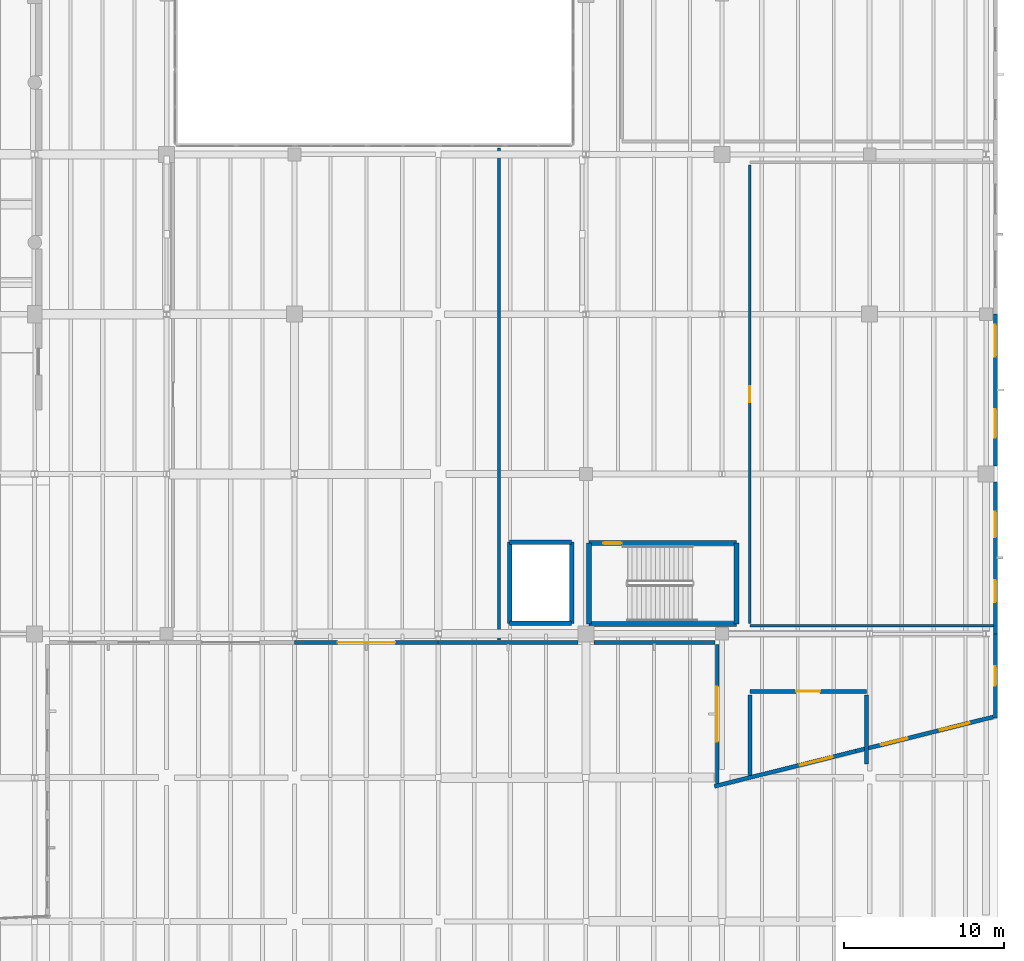
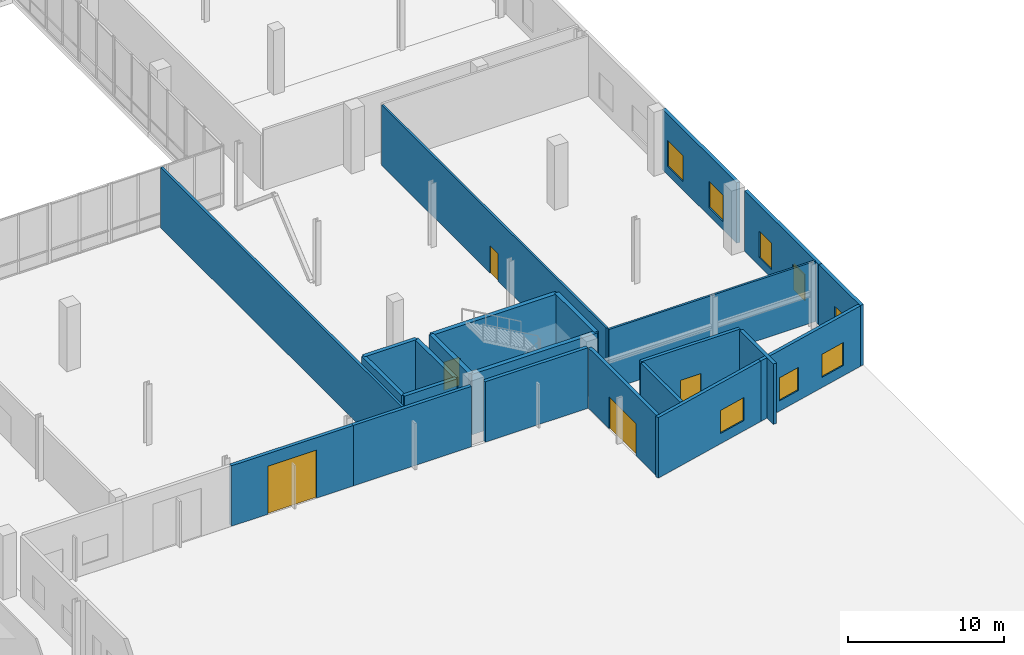
# One storey, part 74 of 88: 23 walls, 8 windows, 5 doors, 13 openings.
"""IFC4 building model written with IfcOpenShell, lengths in metres."""

from ifc_helpers import new_model, si_unit, direction, frame, frame_2d, origin, place, context, subcontext, project, spatial, rectangle, extrude, material, layer, layer_set, type_object, element, fill, save


model = new_model("IFC4")

# Units and contexts
model_context = context("Model", 3, precision=1e-05, world=origin(), true_north=direction((0.0, 1.0)))
body_context = subcontext(model_context, "Body", "Model", "MODEL_VIEW")
ifc_project = project(units=[si_unit("LENGTHUNIT", "METRE"), si_unit("AREAUNIT", "SQUARE_METRE"), si_unit("VOLUMEUNIT", "CUBIC_METRE"), si_unit("PLANEANGLEUNIT", "RADIAN"), si_unit("MASSUNIT", "GRAM", prefix="KILO")], contexts=[model_context])

# Site, building, storey
site_placement = place(None, origin())
site = spatial("IfcSite", under=ifc_project, at=site_placement, CompositionType="ELEMENT")
building_placement = place(site_placement, origin())
building = spatial("IfcBuilding", under=site, at=building_placement, Name="Trimount Lyric Opera House", CompositionType="ELEMENT")
storey_placement = place(building_placement, origin())
storey = spatial("IfcBuildingStorey", under=building, at=storey_placement, Name="L00", CompositionType="ELEMENT", Elevation=0.0)

# Wall
ifc_material_1 = material(Name="Fire-Rated Gypsum Board Partition")
ifc_layer_1 = layer(ifc_material_1, 0.14990234375)
ifc_layer_set_1 = layer_set([ifc_layer_1], Name="WL-PT150")
wall_type_1 = type_object("IfcWallType", Name="WL-PT150", PredefinedType="PARTITIONING", material=ifc_layer_set_1)
wall_1_placement = place(storey_placement, frame((158.5, 44.5, 0.0), z_axis=(0.0, 0.0, 1.0), x_axis=(1.0, 0.0, 0.0)))
element("IfcWall", 1, at=wall_1_placement, inside=storey, type_object=wall_type_1, Name="L00 Stage Door Security & Wardrobe S partition", PredefinedType="PARTITIONING", context=body_context, shape_type="SweptSolid", body=[
    extrude(rectangle(XDim=15.25, YDim=0.14990234375, at=frame_2d((7.625, 0.0))), origin(), (0.0, 0.0, 1.0), 4.719970703125),
])

# Wall, opening, door
wall_2_placement = place(storey_placement, frame((158.5, 73.35009765625, 0.0), z_axis=(0.0, 0.0, 1.0), x_axis=(0.0, -1.0, 0.0)))
wall_2 = element("IfcWall", 2, at=wall_2_placement, inside=storey, type_object=wall_type_1, Name="L00 Stage Door Security & Wardrobe W partition", PredefinedType="PARTITIONING", context=body_context, shape_type="SweptSolid", body=[
    extrude(rectangle(XDim=28.7001953125, YDim=0.14990234375, at=frame_2d((14.35009765625, 0.0))), origin(), (0.0, 0.0, 1.0), 4.719970703125),
])
opening_1_placement = place(wall_2_placement, frame((13.85009765625, 0.0, 0.0)))
opening_1 = element("IfcOpeningElement", 3, at=opening_1_placement, cuts=wall_2, Name="Opening DT-RM1", PredefinedType="OPENING", context=body_context, shape_type="SweptSolid", body=[
    extrude(rectangle(XDim=1.0, YDim=2.14990234375, at=frame_2d((0.5, 1.074951171875))), frame((0.0, 0.0849609375, 0.0), z_axis=(0.0, -1.0, 0.0), x_axis=(1.0, 0.0, 0.0)), (0.0, 0.0, 1.0), 0.169921875),
])
ifc_material_2 = material(Name="Solid Core White Oak")
door_type_1 = type_object("IfcDoorType", Name="DT-RM1", OperationType="NOTDEFINED", PredefinedType="DOOR", material=ifc_material_2)
door_1_placement = place(opening_1_placement, origin())
door_1 = element("IfcDoor", 4, at=door_1_placement, inside=storey, type_object=door_type_1, Name="D-191", OperationType="SINGLE_SWING_RIGHT", OverallHeight=2.14990234375, OverallWidth=1.0, PredefinedType="DOOR", context=body_context, shape_type="SweptSolid", body=[
    extrude(rectangle(XDim=1.0, YDim=2.14990234375, at=frame_2d((0.5, 1.074951171875))), frame((0.0, 0.02490234375, 0.0), z_axis=(0.0, -1.0, 0.0), x_axis=(1.0, 0.0, 0.0)), (0.0, 0.0, 1.0), 0.050048828125),
])
fill(opening_1, door_1)

# Walls
ifc_material_3 = material(Name="Acoustic Double-Stud Gypsum Board")
ifc_layer_2 = layer(ifc_material_3, 0.179931640625)
ifc_layer_set_2 = layer_set([ifc_layer_2], Name="WL-PT180")
wall_type_2 = type_object("IfcWallType", Name="WL-PT180", PredefinedType="PARTITIONING", material=ifc_layer_set_2)
wall_3_placement = place(storey_placement, frame((142.800048828125, 43.60009765625, 0.0), z_axis=(0.0, 0.0, 1.0), x_axis=(0.0, 1.0, 0.0)))
element("IfcWall", 5, at=wall_3_placement, inside=storey, type_object=wall_type_2, Name="L00 Scenery Carpentry & Dock Hall E partition", PredefinedType="PARTITIONING", context=body_context, shape_type="SweptSolid", body=[
    extrude(rectangle(XDim=30.7998046875, YDim=0.179931640625, at=frame_2d((15.39990234375, 0.0))), origin(), (0.0, 0.0, 1.0), 4.719970703125),
])
ifc_material_4 = material(Name="Concrete C40/50", Category="concrete")
ifc_layer_3 = layer(ifc_material_4, 0.280029296875)
ifc_layer_set_3 = layer_set([ifc_layer_3], Name="WL-SH280")
wall_type_3 = type_object("IfcWallType", Name="WL-SH280", PredefinedType="SHEAR", material=ifc_layer_set_3)
for number, where, z_axis, x_axis, name in (
    (6, (143.4599609375, 44.659912109375, 0.0), (0.0, 0.0, 1.0), (1.0, 0.0, 0.0), "Lift LF-07 L00 south shaft wall"),
    (7, (147.340087890625, 49.739990234375, 0.0), (0.0, 0.0, 1.0), (-1.0, 0.0, 0.0), "Lift LF-07 L00 north shaft wall"),
):
    element("IfcWall", number, at=place(storey_placement, frame(where, z_axis=z_axis, x_axis=x_axis)), inside=storey, type_object=wall_type_3, Name=name, PredefinedType="SHEAR", context=body_context, shape_type="SweptSolid", body=[
        extrude(rectangle(XDim=3.880126953125, YDim=0.280029296875, at=frame_2d((1.93994140625, 0.0))), origin(), (0.0, 0.0, 1.0), 4.719970703125),
    ])
for number, where, z_axis, x_axis, name in (
    (8, (143.4599609375, 49.739990234375, 0.0), (0.0, 0.0, 1.0), (0.0, -1.0, 0.0), "Lift LF-07 L00 west shaft wall"),
    (9, (147.340087890625, 44.659912109375, 0.0), (0.0, 0.0, 1.0), (0.0, 1.0, 0.0), "Lift LF-07 L00 east shaft wall"),
):
    element("IfcWall", number, at=place(storey_placement, frame(where, z_axis=z_axis, x_axis=x_axis)), inside=storey, type_object=wall_type_3, Name=name, PredefinedType="SHEAR", context=body_context, shape_type="SweptSolid", body=[
        extrude(rectangle(XDim=5.080078125, YDim=0.280029296875, at=frame_2d((2.5400390625, 0.0))), origin(), (0.0, 0.0, 1.0), 4.719970703125),
    ])
ifc_material_5 = material(Name="Concrete C40/50", Category="concrete")
ifc_layer_4 = layer(ifc_material_5, 0.320068359375)
ifc_layer_set_4 = layer_set([ifc_layer_4], Name="WL-SH320")
wall_type_4 = type_object("IfcWallType", Name="WL-SH320", PredefinedType="SHEAR", material=ifc_layer_set_4)
wall_4_placement = place(storey_placement, frame((148.425048828125, 44.625, 0.0), z_axis=(0.0, 0.0, 1.0), x_axis=(1.0, 0.0, 0.0)))
element("IfcWall", 10, at=wall_4_placement, inside=storey, type_object=wall_type_4, Name="K5 L00 south shaft wall", PredefinedType="SHEAR", context=body_context, shape_type="SweptSolid", body=[
    extrude(rectangle(XDim=9.25, YDim=0.320068359375, at=frame_2d((4.625, 0.0))), origin(), (0.0, 0.0, 1.0), 4.719970703125),
])

# Wall, opening, door
wall_5_placement = place(storey_placement, frame((157.675048828125, 49.675048828125, 0.0), z_axis=(0.0, 0.0, 1.0), x_axis=(-1.0, 0.0, 0.0)))
wall_5 = element("IfcWall", 11, at=wall_5_placement, inside=storey, type_object=wall_type_4, Name="K5 L00 north shaft wall", PredefinedType="SHEAR", context=body_context, shape_type="SweptSolid", body=[
    extrude(rectangle(XDim=9.25, YDim=0.320068359375, at=frame_2d((4.625, 0.0))), origin(), (0.0, 0.0, 1.0), 4.719970703125),
])
opening_2_placement = place(wall_5_placement, frame((7.199951171875, 0.0, 0.0)))
opening_2 = element("IfcOpeningElement", 12, at=opening_2_placement, cuts=wall_5, Name="Opening DT-ST1", PredefinedType="OPENING", context=body_context, shape_type="SweptSolid", body=[
    extrude(rectangle(XDim=1.14990234375, YDim=2.199951171875, at=frame_2d((0.574951171875, 1.10009765625))), frame((0.0, 0.169921875, 0.0), z_axis=(0.0, -1.0, 0.0), x_axis=(1.0, 0.0, 0.0)), (0.0, 0.0, 1.0), 0.340087890625),
])
ifc_material_6 = material(Name="Fire-Rated Hollow Steel", Category="steel")
door_type_2 = type_object("IfcDoorType", Name="DT-ST1", OperationType="NOTDEFINED", PredefinedType="DOOR", material=ifc_material_6)
door_2_placement = place(opening_2_placement, origin())
door_2 = element("IfcDoor", 13, at=door_2_placement, inside=storey, type_object=door_type_2, Name="D-040", OperationType="SINGLE_SWING_RIGHT", OverallHeight=2.199951171875, OverallWidth=1.14990234375, PredefinedType="DOOR", context=body_context, shape_type="SweptSolid", body=[
    extrude(rectangle(XDim=1.14990234375, YDim=2.199951171875, at=frame_2d((0.574951171875, 1.10009765625))), frame((0.0, 0.02490234375, 0.0), z_axis=(0.0, -1.0, 0.0), x_axis=(1.0, 0.0, 0.0)), (0.0, 0.0, 1.0), 0.050048828125),
])
fill(opening_2, door_2)

# Walls
for number, where, z_axis, x_axis, name in (
    (14, (148.425048828125, 49.675048828125, 0.0), (0.0, 0.0, 1.0), (0.0, -1.0, 0.0), "K5 L00 west shaft wall"),
    (15, (157.675048828125, 44.625, 0.0), (0.0, 0.0, 1.0), (0.0, 1.0, 0.0), "K5 L00 east shaft wall"),
):
    element("IfcWall", number, at=place(storey_placement, frame(where, z_axis=z_axis, x_axis=x_axis)), inside=storey, type_object=wall_type_4, Name=name, PredefinedType="SHEAR", context=body_context, shape_type="SweptSolid", body=[
        extrude(rectangle(XDim=5.050048828125, YDim=0.320068359375, at=frame_2d((2.52490234375, 0.0))), origin(), (0.0, 0.0, 1.0), 4.719970703125),
    ])

# Wall, opening, door
ifc_material_7 = material(Name="Concrete C35/45", Category="concrete")
ifc_layer_5 = layer(ifc_material_7, 0.239990234375)
ifc_layer_set_5 = layer_set([ifc_layer_5], Name="WL-SW240")
wall_type_5 = type_object("IfcWallType", Name="WL-SW240", PredefinedType="SOLIDWALL", material=ifc_layer_set_5)
wall_6_placement = place(storey_placement, frame((165.800048828125, 40.39990234375, 0.0), z_axis=(0.0, 0.0, 1.0), x_axis=(-1.0, 0.0, 0.0)))
wall_6 = element("IfcWall", 16, at=wall_6_placement, inside=storey, type_object=wall_type_5, Name="L00 Fire Command Centre N partition", PredefinedType="SOLIDWALL", context=body_context, shape_type="SweptSolid", body=[
    extrude(rectangle(XDim=7.300048828125, YDim=0.239990234375, at=frame_2d((3.64990234375, 0.0))), origin(), (0.0, 0.0, 1.0), 4.719970703125),
])
opening_3_placement = place(wall_6_placement, frame((2.89990234375, 0.0, 0.0)))
opening_3 = element("IfcOpeningElement", 17, at=opening_3_placement, cuts=wall_6, Name="Opening DT-PL1", PredefinedType="OPENING", context=body_context, shape_type="SweptSolid", body=[
    extrude(rectangle(XDim=1.5, YDim=2.25, at=frame_2d((0.75, 1.125))), frame((0.0, 0.1298828125, 0.0), z_axis=(0.0, -1.0, 0.0), x_axis=(1.0, 0.0, 0.0)), (0.0, 0.0, 1.0), 0.260009765625),
])
ifc_material_8 = material(Name="Fire-Rated Painted Steel", Category="steel")
door_type_3 = type_object("IfcDoorType", Name="DT-PL1", OperationType="DOUBLE_DOOR_SINGLE_SWING", PredefinedType="DOOR", material=ifc_material_8)
door_3_placement = place(opening_3_placement, origin())
door_3 = element("IfcDoor", 18, at=door_3_placement, inside=storey, type_object=door_type_3, Name="D-190", OperationType="DOUBLE_DOOR_SINGLE_SWING", OverallHeight=2.25, OverallWidth=1.5, PredefinedType="DOOR", context=body_context, shape_type="SweptSolid", body=[
    extrude(rectangle(XDim=1.5, YDim=2.25, at=frame_2d((0.75, 1.125))), frame((0.0, 0.02490234375, 0.0), z_axis=(0.0, -1.0, 0.0), x_axis=(1.0, 0.0, 0.0)), (0.0, 0.0, 1.0), 0.050048828125),
])
fill(opening_3, door_3)

# Walls
wall_7_placement = place(storey_placement, frame((158.5, 40.159912109375, 0.0), z_axis=(0.0, 0.0, 1.0), x_axis=(0.0, -1.0, 0.0)))
element("IfcWall", 19, at=wall_7_placement, inside=storey, type_object=wall_type_5, Name="L00 Fire Command Centre W partition", PredefinedType="SOLIDWALL", context=body_context, shape_type="SweptSolid", body=[
    extrude(rectangle(XDim=5.01318359375, YDim=0.239990234375, at=frame_2d((2.506591796875, 0.0))), origin(), (0.0, 0.0, 1.0), 4.719970703125),
])
wall_8_placement = place(storey_placement, frame((165.800048828125, 35.840087890625, 0.0), z_axis=(0.0, 0.0, 1.0), x_axis=(0.0, 1.0, 0.0)))
element("IfcWall", 20, at=wall_8_placement, inside=storey, type_object=wall_type_5, Name="L00 Fire Command Centre E partition", PredefinedType="SOLIDWALL", context=body_context, shape_type="SweptSolid", body=[
    extrude(rectangle(XDim=4.31982421875, YDim=0.239990234375, at=frame_2d((2.159912109375, 0.0))), origin(), (0.0, 0.0, 1.0), 4.719970703125),
])

# Wall, openings, windows
ifc_material_9 = material(Name="Concrete C35/45", Category="concrete")
ifc_layer_6 = layer(ifc_material_9, 0.25)
ifc_layer_set_6 = layer_set([ifc_layer_6], Name="WL-SW250")
wall_type_6 = type_object("IfcWallType", Name="WL-SW250", PredefinedType="SOLIDWALL", material=ifc_layer_set_6)
wall_9_placement = place(storey_placement, frame((173.860107421875, 64.0, 0.0), z_axis=(0.0, 0.0, 1.0), x_axis=(0.0, -1.0, 0.0)))
wall_9 = element("IfcWall", 21, at=wall_9_placement, inside=storey, type_object=wall_type_6, Name="L00 exterior facade wall 131", PredefinedType="SOLIDWALL", context=body_context, shape_type="SweptSolid", body=[
    extrude(rectangle(XDim=9.5, YDim=0.25, at=frame_2d((4.75, 0.0))), origin(), (0.0, 0.0, 1.0), 4.719970703125),
])
opening_4_placement = place(wall_9_placement, frame((0.659912109375, 0.0, 0.64990234375)))
opening_4 = element("IfcOpeningElement", 22, at=opening_4_placement, cuts=wall_9, Name="Opening WT-10", PredefinedType="OPENING", context=body_context, shape_type="SweptSolid", body=[
    extrude(rectangle(XDim=2.0, YDim=2.050048828125, at=frame_2d((1.0, 1.02490234375))), frame((0.0, 0.135009765625, 0.0), z_axis=(0.0, -1.0, 0.0), x_axis=(1.0, 0.0, 0.0)), (0.0, 0.0, 1.0), 0.27001953125),
])
opening_5_placement = place(wall_9_placement, frame((5.93994140625, 0.0, 0.64990234375)))
opening_5 = element("IfcOpeningElement", 23, at=opening_5_placement, cuts=wall_9, Name="Opening WT-11", PredefinedType="OPENING", context=body_context, shape_type="SweptSolid", body=[
    extrude(rectangle(XDim=1.800048828125, YDim=2.050048828125, at=frame_2d((0.89990234375, 1.02490234375))), frame((0.0, 0.135009765625, 0.0), z_axis=(0.0, -1.0, 0.0), x_axis=(1.0, 0.0, 0.0)), (0.0, 0.0, 1.0), 0.27001953125),
])
ifc_material_10 = material(Name="Low-E Insulated Glazing in Bronze Frame", Category="glass")
window_type_1 = type_object("IfcWindowType", Name="WT-10", PartitioningType="DOUBLE_PANEL_VERTICAL", PredefinedType="WINDOW", material=ifc_material_10)
window_1_placement = place(opening_4_placement, origin())
window_1 = element("IfcWindow", 24, at=window_1_placement, inside=storey, type_object=window_type_1, Name="Window WT-10-0036", OverallHeight=2.050048828125, OverallWidth=2.0, PartitioningType="SINGLE_PANEL", PredefinedType="WINDOW", context=body_context, shape_type="SweptSolid", body=[
    extrude(rectangle(XDim=2.0, YDim=2.050048828125, at=frame_2d((1.0, 1.02490234375))), frame((0.0, 0.030029296875, 0.0), z_axis=(0.0, -1.0, 0.0), x_axis=(1.0, 0.0, 0.0)), (0.0, 0.0, 1.0), 0.06005859375),
])
fill(opening_4, window_1)
ifc_material_11 = material(Name="Low-E Insulated Glazing in Bronze Frame", Category="glass")
window_type_2 = type_object("IfcWindowType", Name="WT-11", PartitioningType="DOUBLE_PANEL_VERTICAL", PredefinedType="WINDOW", material=ifc_material_11)
window_2_placement = place(opening_5_placement, origin())
window_2 = element("IfcWindow", 25, at=window_2_placement, inside=storey, type_object=window_type_2, Name="Window WT-11-0037", OverallHeight=2.050048828125, OverallWidth=1.800048828125, PartitioningType="SINGLE_PANEL", PredefinedType="WINDOW", context=body_context, shape_type="SweptSolid", body=[
    extrude(rectangle(XDim=1.800048828125, YDim=2.050048828125, at=frame_2d((0.89990234375, 1.02490234375))), frame((0.0, 0.030029296875, 0.0), z_axis=(0.0, -1.0, 0.0), x_axis=(1.0, 0.0, 0.0)), (0.0, 0.0, 1.0), 0.06005859375),
])
fill(opening_5, window_2)

wall_10_placement = place(storey_placement, frame((173.860107421875, 53.5, 0.0), z_axis=(0.0, 0.0, 1.0), x_axis=(0.0, -1.0, 0.0)))
wall_10 = element("IfcWall", 26, at=wall_10_placement, inside=storey, type_object=wall_type_6, Name="L00 exterior facade wall 132", PredefinedType="SOLIDWALL", context=body_context, shape_type="SweptSolid", body=[
    extrude(rectangle(XDim=9.5, YDim=0.25, at=frame_2d((4.75, 0.0))), origin(), (0.0, 0.0, 1.0), 4.719970703125),
])
opening_6_placement = place(wall_10_placement, frame((1.860107421875, 0.0, 0.64990234375)))
opening_6 = element("IfcOpeningElement", 27, at=opening_6_placement, cuts=wall_10, Name="Opening WT-12", PredefinedType="OPENING", context=body_context, shape_type="SweptSolid", body=[
    extrude(rectangle(XDim=1.60009765625, YDim=2.050048828125, at=frame_2d((0.800048828125, 1.02490234375))), frame((0.0, 0.135009765625, 0.0), z_axis=(0.0, -1.0, 0.0), x_axis=(1.0, 0.0, 0.0)), (0.0, 0.0, 1.0), 0.27001953125),
])
opening_7_placement = place(wall_10_placement, frame((6.139892578125, 0.0, 0.64990234375)))
opening_7 = element("IfcOpeningElement", 28, at=opening_7_placement, cuts=wall_10, Name="Opening WT-13", PredefinedType="OPENING", context=body_context, shape_type="SweptSolid", body=[
    extrude(rectangle(XDim=1.39990234375, YDim=2.050048828125, at=frame_2d((0.699951171875, 1.02490234375))), frame((0.0, 0.135009765625, 0.0), z_axis=(0.0, -1.0, 0.0), x_axis=(1.0, 0.0, 0.0)), (0.0, 0.0, 1.0), 0.27001953125),
])
ifc_material_12 = material(Name="Low-E Insulated Glazing in Bronze Frame", Category="glass")
window_type_3 = type_object("IfcWindowType", Name="WT-12", PartitioningType="SINGLE_PANEL", PredefinedType="WINDOW", material=ifc_material_12)
window_3_placement = place(opening_6_placement, origin())
window_3 = element("IfcWindow", 29, at=window_3_placement, inside=storey, type_object=window_type_3, Name="Window WT-12-0038", OverallHeight=2.050048828125, OverallWidth=1.60009765625, PartitioningType="SINGLE_PANEL", PredefinedType="WINDOW", context=body_context, shape_type="SweptSolid", body=[
    extrude(rectangle(XDim=1.60009765625, YDim=2.050048828125, at=frame_2d((0.800048828125, 1.02490234375))), frame((0.0, 0.030029296875, 0.0), z_axis=(0.0, -1.0, 0.0), x_axis=(1.0, 0.0, 0.0)), (0.0, 0.0, 1.0), 0.06005859375),
])
fill(opening_6, window_3)
ifc_material_13 = material(Name="Low-E Insulated Glazing in Bronze Frame", Category="glass")
window_type_4 = type_object("IfcWindowType", Name="WT-13", PartitioningType="SINGLE_PANEL", PredefinedType="WINDOW", material=ifc_material_13)
window_4_placement = place(opening_7_placement, origin())
window_4 = element("IfcWindow", 30, at=window_4_placement, inside=storey, type_object=window_type_4, Name="Window WT-13-0039", OverallHeight=2.050048828125, OverallWidth=1.39990234375, PartitioningType="SINGLE_PANEL", PredefinedType="WINDOW", context=body_context, shape_type="SweptSolid", body=[
    extrude(rectangle(XDim=1.39990234375, YDim=2.050048828125, at=frame_2d((0.699951171875, 1.02490234375))), frame((0.0, 0.030029296875, 0.0), z_axis=(0.0, -1.0, 0.0), x_axis=(1.0, 0.0, 0.0)), (0.0, 0.0, 1.0), 0.06005859375),
])
fill(opening_7, window_4)

# Wall, opening, window
wall_11_placement = place(storey_placement, frame((173.860107421875, 44.0, 0.0), z_axis=(0.0, 0.0, 1.0), x_axis=(0.0, -1.0, 0.0)))
wall_11 = element("IfcWall", 31, at=wall_11_placement, inside=storey, type_object=wall_type_6, Name="L00 exterior facade wall 133", PredefinedType="SOLIDWALL", context=body_context, shape_type="SweptSolid", body=[
    extrude(rectangle(XDim=5.280029296875, YDim=0.25, at=frame_2d((2.64013671875, 0.0))), origin(), (0.0, 0.0, 1.0), 4.719970703125),
])
opening_8_placement = place(wall_11_placement, frame((2.0400390625, 0.0, 0.64990234375)))
opening_8 = element("IfcOpeningElement", 32, at=opening_8_placement, cuts=wall_11, Name="Opening WT-14", PredefinedType="OPENING", context=body_context, shape_type="SweptSolid", body=[
    extrude(rectangle(XDim=1.199951171875, YDim=2.050048828125, at=frame_2d((0.60009765625, 1.02490234375))), frame((0.0, 0.135009765625, 0.0), z_axis=(0.0, -1.0, 0.0), x_axis=(1.0, 0.0, 0.0)), (0.0, 0.0, 1.0), 0.27001953125),
])
ifc_material_14 = material(Name="Low-E Insulated Glazing in Bronze Frame", Category="glass")
window_type_5 = type_object("IfcWindowType", Name="WT-14", PartitioningType="SINGLE_PANEL", PredefinedType="WINDOW", material=ifc_material_14)
window_5_placement = place(opening_8_placement, origin())
window_5 = element("IfcWindow", 33, at=window_5_placement, inside=storey, type_object=window_type_5, Name="Window WT-14-0040", OverallHeight=2.050048828125, OverallWidth=1.199951171875, PartitioningType="SINGLE_PANEL", PredefinedType="WINDOW", context=body_context, shape_type="SweptSolid", body=[
    extrude(rectangle(XDim=1.199951171875, YDim=2.050048828125, at=frame_2d((0.60009765625, 1.02490234375))), frame((0.0, 0.030029296875, 0.0), z_axis=(0.0, -1.0, 0.0), x_axis=(1.0, 0.0, 0.0)), (0.0, 0.0, 1.0), 0.06005859375),
])
fill(opening_8, window_5)

# Wall, openings, windows
wall_12_placement = place(storey_placement, frame((173.72998046875, 38.797119140625, 0.0), z_axis=(0.0, 0.0, 1.0), x_axis=(-0.970396269946, -0.241518279382, 0.0)))
wall_12 = element("IfcWall", 34, at=wall_12_placement, inside=storey, type_object=wall_type_6, Name="L00 exterior facade wall 134", PredefinedType="SOLIDWALL", context=body_context, shape_type="SweptSolid", body=[
    extrude(rectangle(XDim=8.8662109375, YDim=0.25, at=frame_2d((4.43310546875, 0.0))), origin(), (0.0, 0.0, 1.0), 4.719970703125),
])
opening_9_placement = place(wall_12_placement, frame((1.532470703125, 0.0, 0.800048828125)))
opening_9 = element("IfcOpeningElement", 35, at=opening_9_placement, cuts=wall_12, Name="Opening WT-18", PredefinedType="OPENING", context=body_context, shape_type="SweptSolid", body=[
    extrude(rectangle(XDim=1.89990234375, YDim=1.800048828125, at=frame_2d((0.949951171875, 0.89990234375))), frame((0.0, 0.135009765625, 0.0), z_axis=(0.0, -1.0, 0.0), x_axis=(1.0, 0.0, 0.0)), (0.0, 0.0, 1.0), 0.27001953125),
])
opening_10_placement = place(wall_12_placement, frame((5.53369140625, 0.0, 0.800048828125)))
opening_10 = element("IfcOpeningElement", 36, at=opening_10_placement, cuts=wall_12, Name="Opening WT-19", PredefinedType="OPENING", context=body_context, shape_type="SweptSolid", body=[
    extrude(rectangle(XDim=1.699951171875, YDim=1.800048828125, at=frame_2d((0.85009765625, 0.89990234375))), frame((0.0, 0.135009765625, 0.0), z_axis=(0.0, -1.0, 0.0), x_axis=(1.0, 0.0, 0.0)), (0.0, 0.0, 1.0), 0.27001953125),
])
ifc_material_15 = material(Name="Dressing Suite Acoustic Window")
window_type_6 = type_object("IfcWindowType", Name="WT-18", PartitioningType="DOUBLE_PANEL_VERTICAL", PredefinedType="WINDOW", material=ifc_material_15)
window_6_placement = place(opening_9_placement, origin())
window_6 = element("IfcWindow", 37, at=window_6_placement, inside=storey, type_object=window_type_6, Name="Window WT-18-0041", OverallHeight=1.800048828125, OverallWidth=1.89990234375, PartitioningType="SINGLE_PANEL", PredefinedType="WINDOW", context=body_context, shape_type="SweptSolid", body=[
    extrude(rectangle(XDim=1.89990234375, YDim=1.800048828125, at=frame_2d((0.949951171875, 0.89990234375))), frame((0.0, 0.030029296875, 0.0), z_axis=(0.0, -1.0, 0.0), x_axis=(1.0, 0.0, 0.0)), (0.0, 0.0, 1.0), 0.06005859375),
])
fill(opening_9, window_6)
ifc_material_16 = material(Name="Dressing Suite Acoustic Window")
window_type_7 = type_object("IfcWindowType", Name="WT-19", PartitioningType="SINGLE_PANEL", PredefinedType="WINDOW", material=ifc_material_16)
window_7_placement = place(opening_10_placement, origin())
window_7 = element("IfcWindow", 38, at=window_7_placement, inside=storey, type_object=window_type_7, Name="Window WT-19-0042", OverallHeight=1.800048828125, OverallWidth=1.699951171875, PartitioningType="SINGLE_PANEL", PredefinedType="WINDOW", context=body_context, shape_type="SweptSolid", body=[
    extrude(rectangle(XDim=1.699951171875, YDim=1.800048828125, at=frame_2d((0.85009765625, 0.89990234375))), frame((0.0, 0.030029296875, 0.0), z_axis=(0.0, -1.0, 0.0), x_axis=(1.0, 0.0, 0.0)), (0.0, 0.0, 1.0), 0.06005859375),
])
fill(opening_10, window_7)

# Wall, opening, window
wall_13_placement = place(storey_placement, frame((165.126220703125, 36.65576171875, 0.0), z_axis=(0.0, 0.0, 1.0), x_axis=(-0.970402060073, -0.241495014039, 0.0)))
wall_13 = element("IfcWall", 39, at=wall_13_placement, inside=storey, type_object=wall_type_6, Name="L00 exterior facade wall 135", PredefinedType="SOLIDWALL", context=body_context, shape_type="SweptSolid", body=[
    extrude(rectangle(XDim=9.109619140625, YDim=0.25, at=frame_2d((4.5546875, 0.0))), origin(), (0.0, 0.0, 1.0), 4.719970703125),
])
opening_11_placement = place(wall_13_placement, frame((1.500732421875, 0.0, 0.800048828125)))
opening_11 = element("IfcOpeningElement", 40, at=opening_11_placement, cuts=wall_13, Name="Opening WT-17", PredefinedType="OPENING", context=body_context, shape_type="SweptSolid", body=[
    extrude(rectangle(XDim=2.10009765625, YDim=1.800048828125, at=frame_2d((1.050048828125, 0.89990234375))), frame((0.0, 0.135009765625, 0.0), z_axis=(0.0, -1.0, 0.0), x_axis=(1.0, 0.0, 0.0)), (0.0, 0.0, 1.0), 0.27001953125),
])
ifc_material_17 = material(Name="Dressing Suite Acoustic Window")
window_type_8 = type_object("IfcWindowType", Name="WT-17", PartitioningType="DOUBLE_PANEL_VERTICAL", PredefinedType="WINDOW", material=ifc_material_17)
window_8_placement = place(opening_11_placement, origin())
window_8 = element("IfcWindow", 41, at=window_8_placement, inside=storey, type_object=window_type_8, Name="Window WT-17-0043", OverallHeight=1.800048828125, OverallWidth=2.10009765625, PartitioningType="SINGLE_PANEL", PredefinedType="WINDOW", context=body_context, shape_type="SweptSolid", body=[
    extrude(rectangle(XDim=2.10009765625, YDim=1.800048828125, at=frame_2d((1.050048828125, 0.89990234375))), frame((0.0, 0.030029296875, 0.0), z_axis=(0.0, -1.0, 0.0), x_axis=(1.0, 0.0, 0.0)), (0.0, 0.0, 1.0), 0.06005859375),
])
fill(opening_11, window_8)

# Wall, opening, door
wall_14_placement = place(storey_placement, frame((156.4599609375, 34.633056640625, 0.0), z_axis=(0.0, 0.0, 1.0), x_axis=(0.0, 1.0, 0.0)))
wall_14 = element("IfcWall", 42, at=wall_14_placement, inside=storey, type_object=wall_type_6, Name="L00 exterior facade wall 136", PredefinedType="SOLIDWALL", context=body_context, shape_type="SweptSolid", body=[
    extrude(rectangle(XDim=8.68701171875, YDim=0.25, at=frame_2d((4.343505859375, 0.0))), origin(), (0.0, 0.0, 1.0), 4.719970703125),
])
opening_12_placement = place(wall_14_placement, frame((2.618408203125, 0.0, 0.0)))
opening_12 = element("IfcOpeningElement", 43, at=opening_12_placement, cuts=wall_14, Name="Opening DT-EXIT-1", PredefinedType="OPENING", context=body_context, shape_type="SweptSolid", body=[
    extrude(rectangle(XDim=3.449951171875, YDim=2.5, at=frame_2d((1.72509765625, 1.25))), frame((0.0, 0.135009765625, 0.0), z_axis=(0.0, -1.0, 0.0), x_axis=(1.0, 0.0, 0.0)), (0.0, 0.0, 1.0), 0.27001953125),
])
ifc_material_18 = material(Name="Anodised Bronze Glazed Assembly")
door_type_4 = type_object("IfcDoorType", Name="DT-EXIT-1", OperationType="DOUBLE_DOOR_SINGLE_SWING", PredefinedType="DOOR", material=ifc_material_18)
door_4_placement = place(opening_12_placement, origin())
door_4 = element("IfcDoor", 44, at=door_4_placement, inside=storey, type_object=door_type_4, Name="D-145", OperationType="DOUBLE_DOOR_SINGLE_SWING", OverallHeight=2.5, OverallWidth=3.449951171875, PredefinedType="DOOR", context=body_context, shape_type="SweptSolid", body=[
    extrude(rectangle(XDim=3.449951171875, YDim=2.5, at=frame_2d((1.72509765625, 1.25))), frame((0.0, 0.02490234375, 0.0), z_axis=(0.0, -1.0, 0.0), x_axis=(1.0, 0.0, 0.0)), (0.0, 0.0, 1.0), 0.050048828125),
])
fill(opening_12, door_4)

# Walls
wall_15_placement = place(storey_placement, frame((156.320068359375, 43.4599609375, 0.0), z_axis=(0.0, 0.0, 1.0), x_axis=(-1.0, 0.0, 0.0)))
element("IfcWall", 45, at=wall_15_placement, inside=storey, type_object=wall_type_6, Name="L00 exterior facade wall 137", PredefinedType="SOLIDWALL", context=body_context, shape_type="SweptSolid", body=[
    extrude(rectangle(XDim=7.580078125, YDim=0.25, at=frame_2d((3.7900390625, 0.0))), origin(), (0.0, 0.0, 1.0), 4.719970703125),
])
wall_16_placement = place(storey_placement, frame((147.739990234375, 43.4599609375, 0.0), z_axis=(0.0, 0.0, 1.0), x_axis=(-1.0, 0.0, 0.0)))
element("IfcWall", 46, at=wall_16_placement, inside=storey, type_object=wall_type_6, Name="L00 exterior facade wall 138", PredefinedType="SOLIDWALL", context=body_context, shape_type="SweptSolid", body=[
    extrude(rectangle(XDim=8.739990234375, YDim=0.25, at=frame_2d((4.3701171875, 0.0))), origin(), (0.0, 0.0, 1.0), 4.719970703125),
])

# Wall, opening, door
wall_17_placement = place(storey_placement, frame((139.0, 43.4599609375, 0.0), z_axis=(0.0, 0.0, 1.0), x_axis=(-1.0, 0.0, 0.0)))
wall_17 = element("IfcWall", 47, at=wall_17_placement, inside=storey, type_object=wall_type_6, Name="L00 exterior facade wall 139", PredefinedType="SOLIDWALL", context=body_context, shape_type="SweptSolid", body=[
    extrude(rectangle(XDim=9.0, YDim=0.25, at=frame_2d((4.5, 0.0))), origin(), (0.0, 0.0, 1.0), 4.719970703125),
])
opening_13_placement = place(wall_17_placement, frame((2.699951171875, 0.0, 0.0)))
opening_13 = element("IfcOpeningElement", 48, at=opening_13_placement, cuts=wall_17, Name="Opening DT-GT1", PredefinedType="OPENING", context=body_context, shape_type="SweptSolid", body=[
    extrude(rectangle(XDim=3.60009765625, YDim=3.75, at=frame_2d((1.800048828125, 1.875))), frame((0.0, 0.135009765625, 0.0), z_axis=(0.0, -1.0, 0.0), x_axis=(1.0, 0.0, 0.0)), (0.0, 0.0, 1.0), 0.27001953125),
])
ifc_material_19 = material(Name="Insulated Galvanised Steel", Category="steel")
door_type_5 = type_object("IfcDoorType", Name="DT-GT1", OperationType="ROLLINGUP", PredefinedType="GATE", material=ifc_material_19)
door_5_placement = place(opening_13_placement, origin())
door_5 = element("IfcDoor", 49, at=door_5_placement, inside=storey, type_object=door_type_5, Name="D-139", OperationType="ROLLINGUP", OverallHeight=3.75, OverallWidth=3.60009765625, PredefinedType="GATE", context=body_context, shape_type="SweptSolid", body=[
    extrude(rectangle(XDim=3.60009765625, YDim=3.75, at=frame_2d((1.800048828125, 1.875))), frame((0.0, 0.02490234375, 0.0), z_axis=(0.0, -1.0, 0.0), x_axis=(1.0, 0.0, 0.0)), (0.0, 0.0, 1.0), 0.050048828125),
])
fill(opening_13, door_5)

save(model, "model.ifc")
